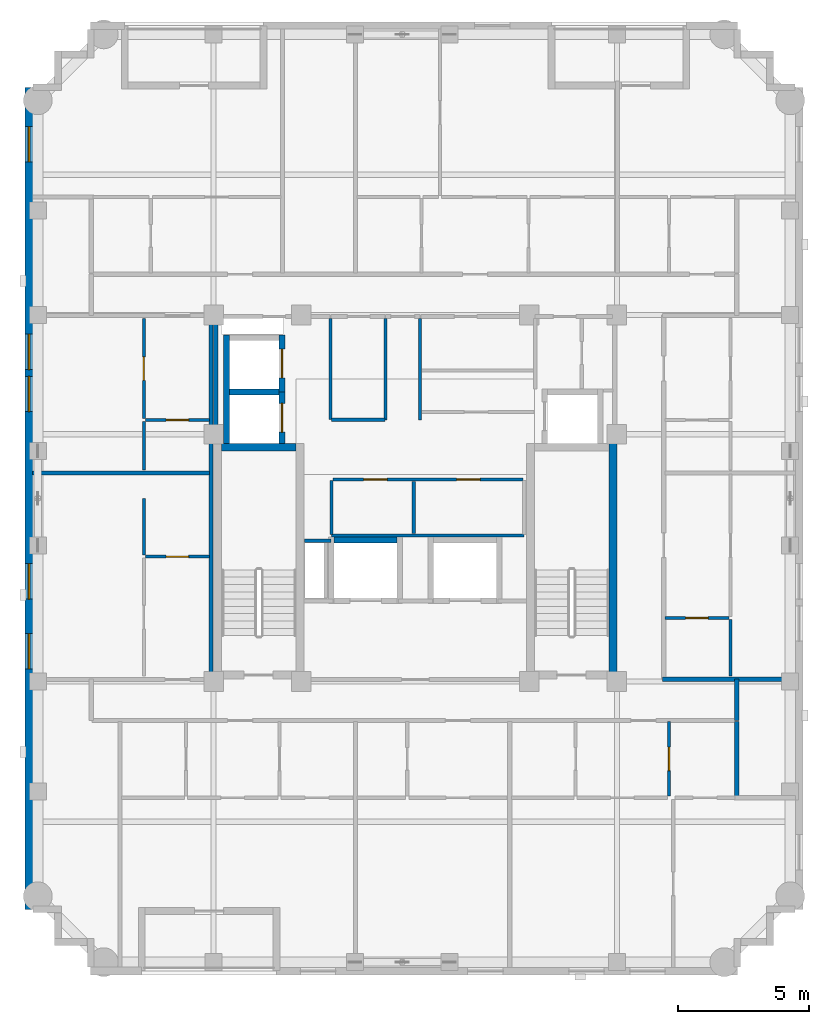
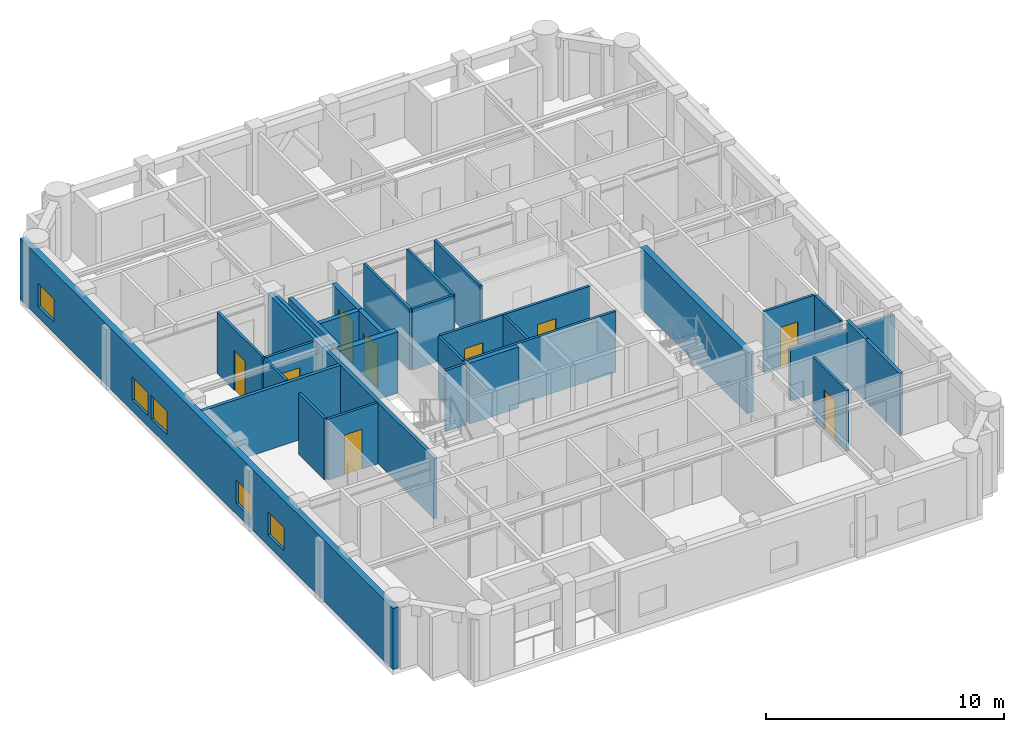
# One storey, part 4 of 10: 31 walls, 9 doors, 5 windows, 14 openings.
"""IFC4 building model written with IfcOpenShell, lengths in metres."""

import ifcopenshell
import ifcopenshell.guid

model = None  # the IFC model being written
_history = None  # IfcOwnerHistory: only IFC2X3 demands one
_inside = {}  # id of a spatial element -> (the spatial element, [elements in it])
_under = {}  # id of a project, library or spatial element -> (it, [spatial elements below it])
_declared = {}  # id of a project -> (the project, [libraries it declares])
_typed = {}  # id of a type object -> (the type object, [elements of that type])
_made_of = {}  # id of a material, layer set ... -> (it, [elements and type objects made of it])


def new_model(schema):
    """Start an empty IFC model of exactly this schema.

    Asked for "IFC4X3", IfcOpenShell would pick the latest addendum, in which some entities
    have other attributes; the version numbers below select the first issue.
    IFC2X3 requires an IfcOwnerHistory on every rooted entity: one is made here for all.
    """
    global model, _history
    if schema == "IFC4X3":
        model = ifcopenshell.file(schema_version=(4, 3, 0, 0))
    else:
        model = ifcopenshell.file(schema=schema)
    _inside.clear()
    _under.clear()
    _declared.clear()
    _typed.clear()
    _made_of.clear()
    _history = None
    if model.schema == "IFC2X3":
        org = make("IfcOrganization", Name="unknown")
        user = make(
            "IfcPersonAndOrganization",
            ThePerson=make("IfcPerson", FamilyName="unknown"),
            TheOrganization=org,
        )
        app = make(
            "IfcApplication",
            ApplicationDeveloper=org,
            Version="unknown",
            ApplicationFullName="unknown",
            ApplicationIdentifier="unknown",
        )
        _history = make(
            "IfcOwnerHistory",
            OwningUser=user,
            OwningApplication=app,
            ChangeAction="ADDED",
            CreationDate=0,
        )
    return model


def make(cls, **values):
    """One entity of the class cls with the attributes given. An attribute that is None is left unset."""
    return model.create_entity(
        cls, **{name: value for name, value in values.items() if value is not None}
    )


def rooted(cls, **values):
    """An entity with a GlobalId (a new one), such as an element, a storey or a relation."""
    return make(cls, GlobalId=ifcopenshell.guid.new(), OwnerHistory=_history, **values)


def si_unit(unit_type, name, prefix=None):
    """IfcSIUnit, for example si_unit("LENGTHUNIT", "METRE", prefix="MILLI")."""
    return make("IfcSIUnit", UnitType=unit_type, Prefix=prefix, Name=name)


def derived_unit(unit_type, elements):
    """IfcDerivedUnit: a product of units, each with its exponent."""
    return make(
        "IfcDerivedUnit",
        Elements=[
            make("IfcDerivedUnitElement", Unit=unit, Exponent=power)
            for unit, power in elements
        ],
        UnitType=unit_type,
    )


def assignment(units):
    """IfcUnitAssignment: the units of a project."""
    return None if units is None else make("IfcUnitAssignment", Units=units)


def point(xyz):
    """IfcCartesianPoint."""
    return None if xyz is None else make("IfcCartesianPoint", Coordinates=xyz)


def direction(xyz):
    """IfcDirection."""
    return None if xyz is None else make("IfcDirection", DirectionRatios=xyz)


def frame(location, z_axis=None, x_axis=None):
    """IfcAxis2Placement3D, a coordinate frame: its origin and axes. An axis left out is left unset."""
    return make(
        "IfcAxis2Placement3D",
        Location=point(location),
        Axis=direction(z_axis),
        RefDirection=direction(x_axis),
    )


def frame_2d(location, x_axis=None):
    """IfcAxis2Placement2D, a coordinate frame in the plane: its origin and x axis."""
    return make(
        "IfcAxis2Placement2D", Location=point(location), RefDirection=direction(x_axis)
    )


def origin():
    """The frame at (0, 0, 0) with its axes left unset."""
    return frame((0.0, 0.0, 0.0))


def place(relative_to, where):
    """IfcLocalPlacement: puts the frame where relative to a parent placement (None: the world)."""
    return make(
        "IfcLocalPlacement", PlacementRelTo=relative_to, RelativePlacement=where
    )


def context(
    kind, dimensions, precision=None, world=None, true_north=None, identifier=None
):
    """IfcGeometricRepresentationContext, for example the 3D "Model" context."""
    return make(
        "IfcGeometricRepresentationContext",
        ContextIdentifier=identifier,
        ContextType=kind,
        CoordinateSpaceDimension=dimensions,
        Precision=precision,
        WorldCoordinateSystem=world,
        TrueNorth=true_north,
    )


def subcontext(parent, identifier, kind, view, scale=None):
    """IfcGeometricRepresentationSubContext, for example "Body" below "Model"."""
    return make(
        "IfcGeometricRepresentationSubContext",
        ContextIdentifier=identifier,
        ContextType=kind,
        ParentContext=parent,
        TargetScale=scale,
        TargetView=view,
    )


def project(units=None, contexts=None):
    """IfcProject with its units and contexts."""
    return rooted(
        "IfcProject",
        Name="project",
        RepresentationContexts=contexts,
        UnitsInContext=assignment(units),
    )


def spatial(cls, under=None, at=None, **own):
    """A site, building, storey or space (cls), placed at a placement, below another one or the project."""
    s = rooted(cls, ObjectPlacement=at, **own)
    if under is not None:
        _under.setdefault(under.id(), (under, []))[1].append(s)
    return s


def profile(cls, at=None, kind="AREA", **sizes):
    """A parametric profile (cls). Its sizes go by their IFC names, for example OverallWidth=200.0."""
    return make(cls, ProfileType=kind, Position=at, **sizes)


def rectangle(**sizes):
    """IfcRectangleProfileDef."""
    return profile("IfcRectangleProfileDef", **sizes)


def extrude(swept, where, along, depth):
    """IfcExtrudedAreaSolid: the profile swept, set in the frame where, extruded along a direction by depth."""
    return make(
        "IfcExtrudedAreaSolid",
        SweptArea=swept,
        Position=where,
        ExtrudedDirection=direction(along),
        Depth=depth,
    )


def shape(context_of_items, identifier, shape_type, items):
    """IfcShapeRepresentation: the items that make up one representation, for example the "Body"."""
    return make(
        "IfcShapeRepresentation",
        ContextOfItems=context_of_items,
        RepresentationIdentifier=identifier,
        RepresentationType=shape_type,
        Items=items,
    )


def material(Name=None, Category=None):
    """IfcMaterial."""
    return make("IfcMaterial", Name=Name, Category=Category)


def layer(
    of_material, thickness, ventilated=None, Name=None, Category=None, Priority=None
):
    """IfcMaterialLayer: one layer of a wall or slab, of a material (None: an air gap)."""
    return make(
        "IfcMaterialLayer",
        Material=of_material,
        LayerThickness=thickness,
        IsVentilated=ventilated,
        Name=Name,
        Category=Category,
        Priority=Priority,
    )


def layer_set(layers, Name=None):
    """IfcMaterialLayerSet."""
    return make("IfcMaterialLayerSet", MaterialLayers=layers, LayerSetName=Name)


def made_of(thing, what):
    """Note that an element or type object is made of a material, layer set ...; save() writes the relation."""
    if what is not None:
        _made_of.setdefault(what.id(), (what, []))[1].append(thing)
    return thing


def type_object(cls, material=None, **own):
    """A type object (cls), such as IfcWallType, which elements share."""
    return made_of(rooted(cls, **own), material)


def element(
    cls,
    number,
    at=None,
    inside=None,
    cuts=None,
    type_object=None,
    material=None,
    context=None,
    identifier="Body",
    shape_type=None,
    held_by="IfcProductDefinitionShape",
    body=None,
    shapes=None,
    **own,
):
    """One element of the class cls, such as IfcWall. Its Tag is "e" and its number.

    at: its placement. inside: the storey or other place that contains it. cuts: it is an
    opening in that element (IfcRelVoidsElement). A single representation is given by context,
    identifier, shape_type and body (its items); several are given by shapes. held_by: the class
    of the entity that holds the representations. save() writes the other relations.
    """
    e = rooted(cls, Tag="e%d" % number, ObjectPlacement=at, **own)
    if body is not None:
        shapes = [shape(context, identifier, shape_type, body)]
    if shapes is not None:
        e.Representation = make(held_by, Representations=shapes)
    if inside is not None:
        _inside.setdefault(inside.id(), (inside, []))[1].append(e)
    if cuts is not None:
        rooted(
            "IfcRelVoidsElement", RelatingBuildingElement=cuts, RelatedOpeningElement=e
        )
    if type_object is not None:
        _typed.setdefault(type_object.id(), (type_object, []))[1].append(e)
    return made_of(e, material)


def fill(opening, filler):
    """IfcRelFillsElement: the door or window that sits in an opening."""
    return rooted(
        "IfcRelFillsElement",
        RelatingOpeningElement=opening,
        RelatedBuildingElement=filler,
    )


def aggregate(whole, parts):
    """IfcRelAggregates: a whole, such as a stair, and the parts it consists of."""
    return rooted("IfcRelAggregates", RelatingObject=whole, RelatedObjects=parts)


def save(model, path):
    """Write the relations noted so far, then the file.

    IfcRelAggregates (storeys below a building ...), IfcRelContainedInSpatialStructure (elements
    in a storey), IfcRelDefinesByType, IfcRelAssociatesMaterial and IfcRelDeclares: one each for
    every whole, place, type object, material and project.
    """
    for whole, parts in _under.values():
        aggregate(whole, parts)
    for where, things in _inside.values():
        rooted(
            "IfcRelContainedInSpatialStructure",
            RelatedElements=things,
            RelatingStructure=where,
        )
    for kind, things in _typed.values():
        rooted("IfcRelDefinesByType", RelatedObjects=things, RelatingType=kind)
    for what, things in _made_of.values():
        rooted("IfcRelAssociatesMaterial", RelatedObjects=things, RelatingMaterial=what)
    for by, libraries in _declared.values():
        rooted("IfcRelDeclares", RelatingContext=by, RelatedDefinitions=libraries)
    model.write(path)


model = new_model("IFC4")

# Units and contexts
model_context = context("Model", 3, precision=1e-05, world=origin(), true_north=direction((0.0, 1.0)))
body_context = subcontext(model_context, "Body", "Model", "MODEL_VIEW")
ifc_project = project(units=[si_unit("LENGTHUNIT", "METRE"), si_unit("AREAUNIT", "SQUARE_METRE"), si_unit("VOLUMEUNIT", "CUBIC_METRE"), si_unit("PLANEANGLEUNIT", "RADIAN"), si_unit("MASSUNIT", "GRAM", prefix="KILO"), derived_unit("THERMALTRANSMITTANCEUNIT", [(si_unit("MASSUNIT", "GRAM", prefix="KILO"), 1), (si_unit("TIMEUNIT", "SECOND"), -3), (si_unit("THERMODYNAMICTEMPERATUREUNIT", "KELVIN"), -1)])], contexts=[model_context])

# Site, building, storey
site_placement = place(None, origin())
site = spatial("IfcSite", under=ifc_project, at=site_placement, CompositionType="ELEMENT")
building_placement = place(site_placement, origin())
building = spatial("IfcBuilding", under=site, at=building_placement, Name="Korrvale Station Residences", CompositionType="ELEMENT")
storey_placement = place(building_placement, frame((0.0, 0.0, 234.300048828125)))
storey = spatial("IfcBuildingStorey", under=building, at=storey_placement, Name="L68", CompositionType="ELEMENT", Elevation=234.300048828125)

# Walls
ifc_material_1 = material(Name="Concrete C50/60", Category="concrete")
ifc_layer_1 = layer(ifc_material_1, 0.300048828125, Name="Concrete C50/60")
ifc_layer_set_1 = layer_set([ifc_layer_1], Name="Concrete C50/60")
wall_type_1 = type_object("IfcWallType", Name="WAL-CORE-300-C50", PredefinedType="SHEAR", material=ifc_layer_set_1)
wall_1_placement = place(storey_placement, frame((18.10009765625, 23.949951171875, 0.0), z_axis=(0.0, 0.0, 1.0), x_axis=(1.0, 0.0, 0.0)))
element("IfcWall", 1, at=wall_1_placement, inside=storey, type_object=wall_type_1, Name="L68 ST-1 Core Shear Wall North", PredefinedType="SHEAR", context=body_context, shape_type="SweptSolid", body=[
    extrude(rectangle(XDim=2.849853515625, YDim=0.300048828125, at=frame_2d((1.4248046875, 0.0))), origin(), (0.0, 0.0, 1.0), 3.139892578125),
])
wall_2_placement = place(storey_placement, frame((33.050048828125, 15.10009765625, 0.0), z_axis=(0.0, 0.0, 1.0), x_axis=(0.0, 1.0, 0.0)))
element("IfcWall", 2, at=wall_2_placement, inside=storey, type_object=wall_type_1, Name="L68 ST-2 Core Shear Wall East", PredefinedType="SHEAR", context=body_context, shape_type="SweptSolid", body=[
    extrude(rectangle(XDim=9.0, YDim=0.300048828125, at=frame_2d((4.5, 0.0))), origin(), (0.0, 0.0, 1.0), 3.139892578125),
])

# Wall, openings, windows
ifc_material_2 = material(Name="Precast concrete C45/55", Category="concrete")
ifc_layer_2 = layer(ifc_material_2, 0.300048828125, Name="Precast concrete C45/55")
ifc_layer_set_2 = layer_set([ifc_layer_2], Name="Precast concrete C45/55")
wall_type_2 = type_object("IfcWallType", Name="WAL-EXT-PC300", PredefinedType="SOLIDWALL", material=ifc_layer_set_2)
wall_3_placement = place(storey_placement, frame((10.75, 6.300048828125, 0.0), z_axis=(0.0, 0.0, 1.0), x_axis=(0.0, 1.0, 0.0)))
wall_3 = element("IfcWall", 3, at=wall_3_placement, inside=storey, type_object=wall_type_2, Name="L68 West Exterior Precast Wall 1", PredefinedType="SOLIDWALL", context=body_context, shape_type="SweptSolid", body=[
    extrude(rectangle(XDim=31.39990234375, YDim=0.300048828125, at=frame_2d((15.699951171875, 0.0))), origin(), (0.0, 0.0, 1.0), 3.139892578125),
])
opening_1_placement = place(wall_3_placement, frame((28.5458984375, 0.0, 0.550048828125)))
opening_1 = element("IfcOpeningElement", 4, at=opening_1_placement, cuts=wall_3, Name="Opening W-10", PredefinedType="OPENING", context=body_context, shape_type="SweptSolid", body=[
    extrude(rectangle(XDim=1.35009765625, YDim=1.199951171875, at=frame_2d((0.675048828125, 0.60009765625))), frame((0.0, 0.16015625, 0.0), z_axis=(0.0, -1.0, 0.0), x_axis=(1.0, 0.0, 0.0)), (0.0, 0.0, 1.0), 0.320068359375),
])
opening_2_placement = place(wall_3_placement, frame((11.85009765625, 0.0, 0.550048828125)))
opening_2 = element("IfcOpeningElement", 5, at=opening_2_placement, cuts=wall_3, Name="Opening W-10", PredefinedType="OPENING", context=body_context, shape_type="SweptSolid", body=[
    extrude(rectangle(XDim=1.35009765625, YDim=1.199951171875, at=frame_2d((0.675048828125, 0.60009765625))), frame((0.0, 0.16015625, 0.0), z_axis=(0.0, -1.0, 0.0), x_axis=(1.0, 0.0, 0.0)), (0.0, 0.0, 1.0), 0.320068359375),
])
opening_3_placement = place(wall_3_placement, frame((9.18505859375, 0.0, 0.550048828125)))
opening_3 = element("IfcOpeningElement", 6, at=opening_3_placement, cuts=wall_3, Name="Opening W-10", PredefinedType="OPENING", context=body_context, shape_type="SweptSolid", body=[
    extrude(rectangle(XDim=1.35009765625, YDim=1.199951171875, at=frame_2d((0.675048828125, 0.60009765625))), frame((0.0, 0.16015625, 0.0), z_axis=(0.0, -1.0, 0.0), x_axis=(1.0, 0.0, 0.0)), (0.0, 0.0, 1.0), 0.320068359375),
])
opening_4_placement = place(wall_3_placement, frame((19.006103515625, 0.0, 0.550048828125)))
opening_4 = element("IfcOpeningElement", 7, at=opening_4_placement, cuts=wall_3, Name="Opening W-10", PredefinedType="OPENING", context=body_context, shape_type="SweptSolid", body=[
    extrude(rectangle(XDim=1.35009765625, YDim=1.199951171875, at=frame_2d((0.675048828125, 0.60009765625))), frame((0.0, 0.16015625, 0.0), z_axis=(0.0, -1.0, 0.0), x_axis=(1.0, 0.0, 0.0)), (0.0, 0.0, 1.0), 0.320068359375),
])
opening_5_placement = place(wall_3_placement, frame((20.615966796875, 0.0, 0.550048828125)))
opening_5 = element("IfcOpeningElement", 8, at=opening_5_placement, cuts=wall_3, Name="Opening W-10", PredefinedType="OPENING", context=body_context, shape_type="SweptSolid", body=[
    extrude(rectangle(XDim=1.35009765625, YDim=1.199951171875, at=frame_2d((0.675048828125, 0.60009765625))), frame((0.0, 0.16015625, 0.0), z_axis=(0.0, -1.0, 0.0), x_axis=(1.0, 0.0, 0.0)), (0.0, 0.0, 1.0), 0.320068359375),
])
ifc_material_3 = material(Name="Thermally broken aluminium frame with triple low-e glazing", Category="aluminium")
window_type = type_object("IfcWindowType", Name="WIN-W10", PartitioningType="SINGLE_PANEL", PredefinedType="WINDOW", material=ifc_material_3)
window_1_placement = place(opening_1_placement, origin())
window_1 = element("IfcWindow", 9, at=window_1_placement, inside=storey, type_object=window_type, Name="L68 Punched Window 06", OverallHeight=1.199951171875, OverallWidth=1.35009765625, PartitioningType="SINGLE_PANEL", PredefinedType="WINDOW", context=body_context, shape_type="SweptSolid", body=[
    extrude(rectangle(XDim=1.35009765625, YDim=1.199951171875, at=frame_2d((0.675048828125, 0.60009765625))), frame((0.0, 0.030029296875, 0.0), z_axis=(0.0, -1.0, 0.0), x_axis=(1.0, 0.0, 0.0)), (0.0, 0.0, 1.0), 0.06005859375),
])
fill(opening_1, window_1)
window_2_placement = place(opening_2_placement, origin())
window_2 = element("IfcWindow", 10, at=window_2_placement, inside=storey, type_object=window_type, Name="L68 Punched Window 09", OverallHeight=1.199951171875, OverallWidth=1.35009765625, PartitioningType="SINGLE_PANEL", PredefinedType="WINDOW", context=body_context, shape_type="SweptSolid", body=[
    extrude(rectangle(XDim=1.35009765625, YDim=1.199951171875, at=frame_2d((0.675048828125, 0.60009765625))), frame((0.0, 0.030029296875, 0.0), z_axis=(0.0, -1.0, 0.0), x_axis=(1.0, 0.0, 0.0)), (0.0, 0.0, 1.0), 0.06005859375),
])
fill(opening_2, window_2)
window_3_placement = place(opening_3_placement, origin())
window_3 = element("IfcWindow", 11, at=window_3_placement, inside=storey, type_object=window_type, Name="L68 Punched Window 10", OverallHeight=1.199951171875, OverallWidth=1.35009765625, PartitioningType="SINGLE_PANEL", PredefinedType="WINDOW", context=body_context, shape_type="SweptSolid", body=[
    extrude(rectangle(XDim=1.35009765625, YDim=1.199951171875, at=frame_2d((0.675048828125, 0.60009765625))), frame((0.0, 0.030029296875, 0.0), z_axis=(0.0, -1.0, 0.0), x_axis=(1.0, 0.0, 0.0)), (0.0, 0.0, 1.0), 0.06005859375),
])
fill(opening_3, window_3)
window_4_placement = place(opening_4_placement, origin())
window_4 = element("IfcWindow", 12, at=window_4_placement, inside=storey, type_object=window_type, Name="L68 Punched Window 11", OverallHeight=1.199951171875, OverallWidth=1.35009765625, PartitioningType="SINGLE_PANEL", PredefinedType="WINDOW", context=body_context, shape_type="SweptSolid", body=[
    extrude(rectangle(XDim=1.35009765625, YDim=1.199951171875, at=frame_2d((0.675048828125, 0.60009765625))), frame((0.0, 0.030029296875, 0.0), z_axis=(0.0, -1.0, 0.0), x_axis=(1.0, 0.0, 0.0)), (0.0, 0.0, 1.0), 0.06005859375),
])
fill(opening_4, window_4)
window_5_placement = place(opening_5_placement, origin())
window_5 = element("IfcWindow", 13, at=window_5_placement, inside=storey, type_object=window_type, Name="L68 Punched Window 12", OverallHeight=1.199951171875, OverallWidth=1.35009765625, PartitioningType="SINGLE_PANEL", PredefinedType="WINDOW", context=body_context, shape_type="SweptSolid", body=[
    extrude(rectangle(XDim=1.35009765625, YDim=1.199951171875, at=frame_2d((0.675048828125, 0.60009765625))), frame((0.0, 0.030029296875, 0.0), z_axis=(0.0, -1.0, 0.0), x_axis=(1.0, 0.0, 0.0)), (0.0, 0.0, 1.0), 0.06005859375),
])
fill(opening_5, window_5)

# Walls
ifc_material_4 = material(Name="Acoustic steel-stud gypsum board partition", Category="steel")
ifc_layer_3 = layer(ifc_material_4, 0.1201171875, Name="Acoustic steel-stud gypsum board partition")
ifc_layer_set_3 = layer_set([ifc_layer_3], Name="Acoustic steel-stud gypsum board partition")
wall_type_3 = type_object("IfcWallType", Name="WAL-PART-125", PredefinedType="PARTITIONING", material=ifc_layer_set_3)
wall_4_placement = place(storey_placement, frame((22.280029296875, 20.3798828125, 0.0), z_axis=(0.0, 0.0, 1.0), x_axis=(-1.0, 0.0, 0.0)))
element("IfcWall", 14, at=wall_4_placement, inside=storey, type_object=wall_type_3, Name="L68 Core Partition CW-RSWT-N", PredefinedType="PARTITIONING", context=body_context, shape_type="SweptSolid", body=[
    extrude(rectangle(XDim=1.02001953125, YDim=0.1201171875, at=frame_2d((0.510009765625, 0.0))), origin(), (0.0, 0.0, 1.0), 3.139892578125),
])
for number, where, z_axis, x_axis, name in (
    (15, (24.360107421875, 25.0, 0.0), (0.0, 0.0, 1.0), (0.0, 1.0, 0.0), "L68 Core Partition CW-PSG-W"),
    (16, (25.679931640625, 25.0, 0.0), (0.0, 0.0, 1.0), (0.0, 1.0, 0.0), "L68 Core Partition CW-PSG-E"),
):
    element("IfcWall", number, at=place(storey_placement, frame(where, z_axis=z_axis, x_axis=x_axis)), inside=storey, type_object=wall_type_3, Name=name, PredefinedType="PARTITIONING", context=body_context, shape_type="SweptSolid", body=[
        extrude(rectangle(XDim=3.8701171875, YDim=0.1201171875, at=frame_2d((1.93505859375, 0.0))), origin(), (0.0, 0.0, 1.0), 3.139892578125),
    ])
wall_5_placement = place(storey_placement, frame((22.260009765625, 25.0, 0.0), z_axis=(0.0, 0.0, 1.0), x_axis=(0.0, 1.0, 0.0)))
element("IfcWall", 17, at=wall_5_placement, inside=storey, type_object=wall_type_3, Name="L68 Core Partition CW-FPLW-W", PredefinedType="PARTITIONING", context=body_context, shape_type="SweptSolid", body=[
    extrude(rectangle(XDim=3.860107421875, YDim=0.1201171875, at=frame_2d((1.93017578125, 0.0))), origin(), (0.0, 0.0, 1.0), 3.139892578125),
])
wall_6_placement = place(storey_placement, frame((22.300048828125, 25.0, 0.0), z_axis=(0.0, 0.0, 1.0), x_axis=(1.0, 0.0, 0.0)))
element("IfcWall", 18, at=wall_6_placement, inside=storey, type_object=wall_type_3, Name="L68 Core Partition CW-FPLW-S", PredefinedType="PARTITIONING", context=body_context, shape_type="SweptSolid", body=[
    extrude(rectangle(XDim=2.0400390625, YDim=0.1201171875, at=frame_2d((1.02001953125, 0.0))), origin(), (0.0, 0.0, 1.0), 3.139892578125),
])
wall_7_placement = place(storey_placement, frame((22.300048828125, 20.580078125, 0.0), z_axis=(0.0, 0.0, 1.0), x_axis=(1.0, 0.0, 0.0)))
element("IfcWall", 19, at=wall_7_placement, inside=storey, type_object=wall_type_3, Name="L68 Core Partition CW-FPM-S", PredefinedType="PARTITIONING", context=body_context, shape_type="SweptSolid", body=[
    extrude(rectangle(XDim=7.349853515625, YDim=0.1201171875, at=frame_2d((3.6748046875, 0.0))), origin(), (0.0, 0.0, 1.0), 3.139892578125),
])
wall_8_placement = place(storey_placement, frame((22.300048828125, 20.6201171875, 0.0), z_axis=(0.0, 0.0, 1.0), x_axis=(0.0, 1.0, 0.0)))
element("IfcWall", 20, at=wall_8_placement, inside=storey, type_object=wall_type_3, Name="L68 Core Partition CW-FPM-W", PredefinedType="PARTITIONING", context=body_context, shape_type="SweptSolid", body=[
    extrude(rectangle(XDim=2.059814453125, YDim=0.1201171875, at=frame_2d((1.02978515625, 0.0))), origin(), (0.0, 0.0, 1.0), 3.139892578125),
])
wall_9_placement = place(storey_placement, frame((25.43994140625, 20.64990234375, 0.0), z_axis=(0.0, 0.0, 1.0), x_axis=(0.0, 1.0, 0.0)))
element("IfcWall", 21, at=wall_9_placement, inside=storey, type_object=wall_type_3, Name="L68 Core Partition CW-FPM-M", PredefinedType="PARTITIONING", context=body_context, shape_type="SweptSolid", body=[
    extrude(rectangle(XDim=2.0, YDim=0.1201171875, at=frame_2d((1.0, 0.0))), origin(), (0.0, 0.0, 1.0), 3.139892578125),
])

# Wall, openings, doors
wall_10_placement = place(storey_placement, frame((22.35009765625, 22.719970703125, 0.0), z_axis=(0.0, 0.0, 1.0), x_axis=(1.0, 0.0, 0.0)))
wall_10 = element("IfcWall", 22, at=wall_10_placement, inside=storey, type_object=wall_type_3, Name="L68 Core Partition CW-FPM-N", PredefinedType="PARTITIONING", context=body_context, shape_type="SweptSolid", body=[
    extrude(rectangle(XDim=7.27001953125, YDim=0.1201171875, at=frame_2d((3.635009765625, 0.0))), origin(), (0.0, 0.0, 1.0), 3.139892578125),
])
opening_6_placement = place(wall_10_placement, frame((1.175048828125, 0.0, 0.0)))
opening_6 = element("IfcOpeningElement", 23, at=opening_6_placement, cuts=wall_10, Name="Opening DI-900", PredefinedType="OPENING", context=body_context, shape_type="SweptSolid", body=[
    extrude(rectangle(XDim=0.89990234375, YDim=2.050048828125, at=frame_2d((0.449951171875, 1.02490234375))), frame((0.0, 0.070068359375, 0.0), z_axis=(0.0, -1.0, 0.0), x_axis=(1.0, 0.0, 0.0)), (0.0, 0.0, 1.0), 0.14013671875),
])
opening_7_placement = place(wall_10_placement, frame((4.72509765625, 0.0, 0.0)))
opening_7 = element("IfcOpeningElement", 24, at=opening_7_placement, cuts=wall_10, Name="Opening DI-900", PredefinedType="OPENING", context=body_context, shape_type="SweptSolid", body=[
    extrude(rectangle(XDim=0.89990234375, YDim=2.050048828125, at=frame_2d((0.449951171875, 1.02490234375))), frame((0.0, 0.070068359375, 0.0), z_axis=(0.0, -1.0, 0.0), x_axis=(1.0, 0.0, 0.0)), (0.0, 0.0, 1.0), 0.14013671875),
])
ifc_material_5 = material(Name="Painted solid-core timber interior room door", Category="wood")
door_type_1 = type_object("IfcDoorType", Name="DR-INT-900", OperationType="NOTDEFINED", PredefinedType="DOOR", material=ifc_material_5)
door_1_placement = place(opening_6_placement, origin())
door_1 = element("IfcDoor", 25, at=door_1_placement, inside=storey, type_object=door_type_1, Name="L68 Sky Pantry Door", OperationType="SINGLE_SWING_LEFT", OverallHeight=2.050048828125, OverallWidth=0.89990234375, PredefinedType="DOOR", context=body_context, shape_type="SweptSolid", body=[
    extrude(rectangle(XDim=0.89990234375, YDim=2.050048828125, at=frame_2d((0.449951171875, 1.02490234375))), frame((0.0, 0.02490234375, 0.0), z_axis=(0.0, -1.0, 0.0), x_axis=(1.0, 0.0, 0.0)), (0.0, 0.0, 1.0), 0.050048828125),
])
fill(opening_6, door_1)
door_2_placement = place(opening_7_placement, origin())
door_2 = element("IfcDoor", 26, at=door_2_placement, inside=storey, type_object=door_type_1, Name="L68 Concierge Supply Door", OperationType="SINGLE_SWING_RIGHT", OverallHeight=2.050048828125, OverallWidth=0.89990234375, PredefinedType="DOOR", context=body_context, shape_type="SweptSolid", body=[
    extrude(rectangle(XDim=0.89990234375, YDim=2.050048828125, at=frame_2d((0.449951171875, 1.02490234375))), frame((0.0, 0.02490234375, 0.0), z_axis=(0.0, -1.0, 0.0), x_axis=(1.0, 0.0, 0.0)), (0.0, 0.0, 1.0), 0.050048828125),
])
fill(opening_7, door_2)

# Wall, opening, door
wall_11_placement = place(storey_placement, frame((35.195068359375, 10.6201171875, 0.0), z_axis=(0.0, 0.0, 1.0), x_axis=(0.0, 1.0, 0.0)))
wall_11 = element("IfcWall", 27, at=wall_11_placement, inside=storey, type_object=wall_type_3, Name="L68 Suite Partition U03-V12", PredefinedType="PARTITIONING", context=body_context, shape_type="SweptSolid", body=[
    extrude(rectangle(XDim=2.849853515625, YDim=0.1201171875, at=frame_2d((1.4248046875, 0.0))), origin(), (0.0, 0.0, 1.0), 3.139892578125),
])
opening_8_placement = place(wall_11_placement, frame((0.97509765625, 0.0, 0.0)))
opening_8 = element("IfcOpeningElement", 28, at=opening_8_placement, cuts=wall_11, Name="Opening DI-900", PredefinedType="OPENING", context=body_context, shape_type="SweptSolid", body=[
    extrude(rectangle(XDim=0.89990234375, YDim=2.050048828125, at=frame_2d((0.449951171875, 1.02490234375))), frame((0.0, 0.070068359375, 0.0), z_axis=(0.0, -1.0, 0.0), x_axis=(1.0, 0.0, 0.0)), (0.0, 0.0, 1.0), 0.14013671875),
])
door_3_placement = place(opening_8_placement, origin())
door_3 = element("IfcDoor", 29, at=door_3_placement, inside=storey, type_object=door_type_1, Name="L68 Apartment 1BR L68-U03 Kitchen Door", OperationType="SINGLE_SWING_RIGHT", OverallHeight=2.050048828125, OverallWidth=0.89990234375, PredefinedType="DOOR", context=body_context, shape_type="SweptSolid", body=[
    extrude(rectangle(XDim=0.89990234375, YDim=2.050048828125, at=frame_2d((0.449951171875, 1.02490234375))), frame((0.0, 0.02490234375, 0.0), z_axis=(0.0, -1.0, 0.0), x_axis=(1.0, 0.0, 0.0)), (0.0, 0.0, 1.0), 0.050048828125),
])
fill(opening_8, door_3)

wall_12_placement = place(storey_placement, frame((15.18994140625, 19.77001953125, 0.0), z_axis=(0.0, 0.0, 1.0), x_axis=(1.0, 0.0, 0.0)))
wall_12 = element("IfcWall", 30, at=wall_12_placement, inside=storey, type_object=wall_type_3, Name="L68 Suite Partition U07-H01", PredefinedType="PARTITIONING", context=body_context, shape_type="SweptSolid", body=[
    extrude(rectangle(XDim=2.449951171875, YDim=0.1201171875, at=frame_2d((1.22509765625, 0.0))), origin(), (0.0, 0.0, 1.0), 3.139892578125),
])
opening_9_placement = place(wall_12_placement, frame((0.794921875, 0.0, 0.0)))
opening_9 = element("IfcOpeningElement", 31, at=opening_9_placement, cuts=wall_12, Name="Opening DB-860", PredefinedType="OPENING", context=body_context, shape_type="SweptSolid", body=[
    extrude(rectangle(XDim=0.860107421875, YDim=2.050048828125, at=frame_2d((0.43017578125, 1.02490234375))), frame((0.0, 0.070068359375, 0.0), z_axis=(0.0, -1.0, 0.0), x_axis=(1.0, 0.0, 0.0)), (0.0, 0.0, 1.0), 0.14013671875),
])
ifc_material_6 = material(Name="Moisture-resistant solid-core bathroom door", Category="timber")
door_type_2 = type_object("IfcDoorType", Name="DR-BATH-860", OperationType="NOTDEFINED", PredefinedType="DOOR", material=ifc_material_6)
door_4_placement = place(opening_9_placement, origin())
door_4 = element("IfcDoor", 32, at=door_4_placement, inside=storey, type_object=door_type_2, Name="L68 Apartment 1BR L68-U07 Bathroom Door", OperationType="SINGLE_SWING_RIGHT", OverallHeight=2.050048828125, OverallWidth=0.860107421875, PredefinedType="DOOR", context=body_context, shape_type="SweptSolid", body=[
    extrude(rectangle(XDim=0.860107421875, YDim=2.050048828125, at=frame_2d((0.43017578125, 1.02490234375))), frame((0.0, 0.02490234375, 0.0), z_axis=(0.0, -1.0, 0.0), x_axis=(1.0, 0.0, 0.0)), (0.0, 0.0, 1.0), 0.050048828125),
])
fill(opening_9, door_4)

# Wall
wall_13_placement = place(storey_placement, frame((15.1298828125, 19.830078125, 0.0), z_axis=(0.0, 0.0, 1.0), x_axis=(0.0, 1.0, 0.0)))
element("IfcWall", 33, at=wall_13_placement, inside=storey, type_object=wall_type_3, Name="L68 Suite Partition U07-V02", PredefinedType="PARTITIONING", context=body_context, shape_type="SweptSolid", body=[
    extrude(rectangle(XDim=2.158935546875, YDim=0.1201171875, at=frame_2d((1.07958984375, 0.0))), origin(), (0.0, 0.0, 1.0), 3.139892578125),
])

# Wall, opening, door
wall_14_placement = place(storey_placement, frame((15.18994140625, 24.991943359375, 0.0), z_axis=(0.0, 0.0, 1.0), x_axis=(1.0, 0.0, 0.0)))
wall_14 = element("IfcWall", 34, at=wall_14_placement, inside=storey, type_object=wall_type_3, Name="L68 Suite Partition U08-H01", PredefinedType="PARTITIONING", context=body_context, shape_type="SweptSolid", body=[
    extrude(rectangle(XDim=2.449951171875, YDim=0.1201171875, at=frame_2d((1.22509765625, 0.0))), origin(), (0.0, 0.0, 1.0), 3.139892578125),
])
opening_10_placement = place(wall_14_placement, frame((0.794921875, 0.0, 0.0)))
opening_10 = element("IfcOpeningElement", 35, at=opening_10_placement, cuts=wall_14, Name="Opening DB-860", PredefinedType="OPENING", context=body_context, shape_type="SweptSolid", body=[
    extrude(rectangle(XDim=0.860107421875, YDim=2.050048828125, at=frame_2d((0.43017578125, 1.02490234375))), frame((0.0, 0.070068359375, 0.0), z_axis=(0.0, -1.0, 0.0), x_axis=(1.0, 0.0, 0.0)), (0.0, 0.0, 1.0), 0.14013671875),
])
door_5_placement = place(opening_10_placement, origin())
door_5 = element("IfcDoor", 36, at=door_5_placement, inside=storey, type_object=door_type_2, Name="L68 Apartment 1BR L68-U08 Bathroom Door", OperationType="SINGLE_SWING_LEFT", OverallHeight=2.050048828125, OverallWidth=0.860107421875, PredefinedType="DOOR", context=body_context, shape_type="SweptSolid", body=[
    extrude(rectangle(XDim=0.860107421875, YDim=2.050048828125, at=frame_2d((0.43017578125, 1.02490234375))), frame((0.0, 0.02490234375, 0.0), z_axis=(0.0, -1.0, 0.0), x_axis=(1.0, 0.0, 0.0)), (0.0, 0.0, 1.0), 0.050048828125),
])
fill(opening_10, door_5)

# Wall
wall_15_placement = place(storey_placement, frame((15.1298828125, 23.08203125, 0.0), z_axis=(0.0, 0.0, 1.0), x_axis=(0.0, 1.0, 0.0)))
element("IfcWall", 37, at=wall_15_placement, inside=storey, type_object=wall_type_3, Name="L68 Suite Partition U08-V02", PredefinedType="PARTITIONING", context=body_context, shape_type="SweptSolid", body=[
    extrude(rectangle(XDim=1.849853515625, YDim=0.1201171875, at=frame_2d((0.9248046875, 0.0))), origin(), (0.0, 0.0, 1.0), 3.139892578125),
])

# Wall, opening, door
wall_16_placement = place(storey_placement, frame((15.1298828125, 25.052001953125, 0.0), z_axis=(0.0, 0.0, 1.0), x_axis=(0.0, 1.0, 0.0)))
wall_16 = element("IfcWall", 38, at=wall_16_placement, inside=storey, type_object=wall_type_3, Name="L68 Suite Partition U08-V12", PredefinedType="PARTITIONING", context=body_context, shape_type="SweptSolid", body=[
    extrude(rectangle(XDim=3.80810546875, YDim=0.1201171875, at=frame_2d((1.904052734375, 0.0))), origin(), (0.0, 0.0, 1.0), 3.139892578125),
])
opening_11_placement = place(wall_16_placement, frame((1.4541015625, 0.0, 0.0)))
opening_11 = element("IfcOpeningElement", 39, at=opening_11_placement, cuts=wall_16, Name="Opening DI-900", PredefinedType="OPENING", context=body_context, shape_type="SweptSolid", body=[
    extrude(rectangle(XDim=0.89990234375, YDim=2.050048828125, at=frame_2d((0.449951171875, 1.02490234375))), frame((0.0, 0.070068359375, 0.0), z_axis=(0.0, -1.0, 0.0), x_axis=(1.0, 0.0, 0.0)), (0.0, 0.0, 1.0), 0.14013671875),
])
door_6_placement = place(opening_11_placement, origin())
door_6 = element("IfcDoor", 40, at=door_6_placement, inside=storey, type_object=door_type_1, Name="L68 Apartment 1BR L68-U08 Kitchen Door", OperationType="SINGLE_SWING_RIGHT", OverallHeight=2.050048828125, OverallWidth=0.89990234375, PredefinedType="DOOR", context=body_context, shape_type="SweptSolid", body=[
    extrude(rectangle(XDim=0.89990234375, YDim=2.050048828125, at=frame_2d((0.449951171875, 1.02490234375))), frame((0.0, 0.02490234375, 0.0), z_axis=(0.0, -1.0, 0.0), x_axis=(1.0, 0.0, 0.0)), (0.0, 0.0, 1.0), 0.050048828125),
])
fill(opening_11, door_6)

wall_17_placement = place(storey_placement, frame((35.030029296875, 17.428955078125, 0.0), z_axis=(0.0, 0.0, 1.0), x_axis=(1.0, 0.0, 0.0)))
wall_17 = element("IfcWall", 41, at=wall_17_placement, inside=storey, type_object=wall_type_3, Name="L68 Suite Partition U09-H01", PredefinedType="PARTITIONING", context=body_context, shape_type="SweptSolid", body=[
    extrude(rectangle(XDim=2.449951171875, YDim=0.1201171875, at=frame_2d((1.22509765625, 0.0))), origin(), (0.0, 0.0, 1.0), 3.139892578125),
])
opening_12_placement = place(wall_17_placement, frame((0.794921875, 0.0, 0.0)))
opening_12 = element("IfcOpeningElement", 42, at=opening_12_placement, cuts=wall_17, Name="Opening DB-860", PredefinedType="OPENING", context=body_context, shape_type="SweptSolid", body=[
    extrude(rectangle(XDim=0.860107421875, YDim=2.050048828125, at=frame_2d((0.43017578125, 1.02490234375))), frame((0.0, 0.070068359375, 0.0), z_axis=(0.0, -1.0, 0.0), x_axis=(1.0, 0.0, 0.0)), (0.0, 0.0, 1.0), 0.14013671875),
])
door_7_placement = place(opening_12_placement, origin())
door_7 = element("IfcDoor", 43, at=door_7_placement, inside=storey, type_object=door_type_2, Name="L68 Apartment 1BR L68-U09 Bathroom Door", OperationType="SINGLE_SWING_LEFT", OverallHeight=2.050048828125, OverallWidth=0.860107421875, PredefinedType="DOOR", context=body_context, shape_type="SweptSolid", body=[
    extrude(rectangle(XDim=0.860107421875, YDim=2.050048828125, at=frame_2d((0.43017578125, 1.02490234375))), frame((0.0, 0.02490234375, 0.0), z_axis=(0.0, -1.0, 0.0), x_axis=(1.0, 0.0, 0.0)), (0.0, 0.0, 1.0), 0.050048828125),
])
fill(opening_12, door_7)

# Walls
wall_18_placement = place(storey_placement, frame((37.5400390625, 15.2099609375, 0.0), z_axis=(0.0, 0.0, 1.0), x_axis=(0.0, 1.0, 0.0)))
element("IfcWall", 44, at=wall_18_placement, inside=storey, type_object=wall_type_3, Name="L68 Suite Partition U09-V02", PredefinedType="PARTITIONING", context=body_context, shape_type="SweptSolid", body=[
    extrude(rectangle(XDim=2.158935546875, YDim=0.1201171875, at=frame_2d((1.07958984375, 0.0))), origin(), (0.0, 0.0, 1.0), 3.139892578125),
])
ifc_material_7 = material(Name="Fire-rated twin-stud gypsum and mineral wool shaftwall assembly", Category="gypsum")
ifc_layer_4 = layer(ifc_material_7, 0.159912109375, Name="Fire-rated twin-stud gypsum and mineral wool shaftwall assembly")
ifc_layer_set_4 = layer_set([ifc_layer_4], Name="Fire-rated twin-stud gypsum and mineral wool shaftwall assembly")
wall_type_4 = type_object("IfcWallType", Name="WAL-PART-200", PredefinedType="PARTITIONING", material=ifc_layer_set_4)
wall_19_placement = place(storey_placement, frame((17.8798828125, 24.1201171875, 0.0), z_axis=(0.0, 0.0, 1.0), x_axis=(0.0, 1.0, 0.0)))
element("IfcWall", 45, at=wall_19_placement, inside=storey, type_object=wall_type_4, Name="L68 Core Partition CW-W-N", PredefinedType="PARTITIONING", context=body_context, shape_type="SweptSolid", body=[
    extrude(rectangle(XDim=4.759765625, YDim=0.159912109375, at=frame_2d((2.3798828125, 0.0))), origin(), (0.0, 0.0, 1.0), 3.139892578125),
])
wall_20_placement = place(storey_placement, frame((37.780029296875, 13.510009765625, 0.0), z_axis=(0.0, 0.0, 1.0), x_axis=(0.0, 1.0, 0.0)))
element("IfcWall", 46, at=wall_20_placement, inside=storey, type_object=wall_type_4, Name="L68 Corridor South East Cap", PredefinedType="PARTITIONING", context=body_context, shape_type="SweptSolid", body=[
    extrude(rectangle(XDim=1.580078125, YDim=0.159912109375, at=frame_2d((0.7900390625, 0.0))), origin(), (0.0, 0.0, 1.0), 3.139892578125),
])
wall_21_placement = place(storey_placement, frame((34.949951171875, 15.090087890625, 0.0), z_axis=(0.0, 0.0, 1.0), x_axis=(1.0, 0.0, 0.0)))
element("IfcWall", 47, at=wall_21_placement, inside=storey, type_object=wall_type_4, Name="L68 East Wing South Corridor Wall", PredefinedType="PARTITIONING", context=body_context, shape_type="SweptSolid", body=[
    extrude(rectangle(XDim=5.070068359375, YDim=0.159912109375, at=frame_2d((2.53515625, 0.0))), origin(), (0.0, 0.0, 1.0), 2.66796875),
])
wall_22_placement = place(storey_placement, frame((37.780029296875, 10.56005859375, 0.0), z_axis=(0.0, 0.0, 1.0), x_axis=(0.0, 1.0, 0.0)))
element("IfcWall", 48, at=wall_22_placement, inside=storey, type_object=wall_type_4, Name="L68 Corner Step Cheek U03-R", PredefinedType="PARTITIONING", context=body_context, shape_type="SweptSolid", body=[
    extrude(rectangle(XDim=2.909912109375, YDim=0.159912109375, at=frame_2d((1.455078125, 0.0))), origin(), (0.0, 0.0, 1.0), 3.139892578125),
])
wall_23_placement = place(storey_placement, frame((10.8798828125, 22.9619140625, 0.0), z_axis=(0.0, 0.0, 1.0), x_axis=(1.0, 0.0, 0.0)))
element("IfcWall", 49, at=wall_23_placement, inside=storey, type_object=wall_type_4, Name="L68 Demising Wall U07-N", PredefinedType="PARTITIONING", context=body_context, shape_type="SweptSolid", body=[
    extrude(rectangle(XDim=6.760009765625, YDim=0.159912109375, at=frame_2d((3.3798828125, 0.0))), origin(), (0.0, 0.0, 1.0), 3.139892578125),
])
wall_24_placement = place(storey_placement, frame((17.699951171875, 15.02001953125, 0.0), z_axis=(0.0, 0.0, 1.0), x_axis=(0.0, 1.0, 0.0)))
element("IfcWall", 50, at=wall_24_placement, inside=storey, type_object=wall_type_4, Name="L68 Rated Corridor Wall W", PredefinedType="PARTITIONING", context=body_context, shape_type="SweptSolid", body=[
    extrude(rectangle(XDim=13.97998046875, YDim=0.159912109375, at=frame_2d((6.989990234375, 0.0))), origin(), (0.0, 0.0, 1.0), 3.139892578125),
])
ifc_layer_5 = layer(ifc_material_1, 0.219970703125, Name="Concrete C50/60")
ifc_layer_set_5 = layer_set([ifc_layer_5], Name="Concrete C50/60")
wall_type_5 = type_object("IfcWallType", Name="WAL-SHAFT-220-C50", PredefinedType="SHEAR", material=ifc_layer_set_5)
wall_25_placement = place(storey_placement, frame((18.2900390625, 24.10009765625, 0.0), z_axis=(0.0, 0.0, 1.0), x_axis=(0.0, 1.0, 0.0)))
element("IfcWall", 51, at=wall_25_placement, inside=storey, type_object=wall_type_5, Name="L68 Elevator PH-1 Hoistway Wall West", PredefinedType="SHEAR", context=body_context, shape_type="SweptSolid", body=[
    extrude(rectangle(XDim=4.139892578125, YDim=0.219970703125, at=frame_2d((2.06982421875, 0.0))), origin(), (0.0, 0.0, 1.0), 3.139892578125),
])

# Wall, opening, door
wall_26_placement = place(storey_placement, frame((20.409912109375, 24.10009765625, 0.0), z_axis=(0.0, 0.0, 1.0), x_axis=(0.0, 1.0, 0.0)))
wall_26 = element("IfcWall", 52, at=wall_26_placement, inside=storey, type_object=wall_type_5, Name="L68 Elevator PH-1 Hoistway Wall East", PredefinedType="SHEAR", context=body_context, shape_type="SweptSolid", body=[
    extrude(rectangle(XDim=1.9599609375, YDim=0.219970703125, at=frame_2d((0.97998046875, 0.0))), origin(), (0.0, 0.0, 1.0), 3.139892578125),
])
opening_13_placement = place(wall_26_placement, frame((0.429931640625, 0.0, 0.0)))
opening_13 = element("IfcOpeningElement", 53, at=opening_13_placement, cuts=wall_26, Name="Opening LD-1100", PredefinedType="OPENING", context=body_context, shape_type="SweptSolid", body=[
    extrude(rectangle(XDim=1.10009765625, YDim=2.14990234375, at=frame_2d((0.550048828125, 1.074951171875))), frame((0.0, 0.1201171875, 0.0), z_axis=(0.0, -1.0, 0.0), x_axis=(1.0, 0.0, 0.0)), (0.0, 0.0, 1.0), 0.239990234375),
])
ifc_material_8 = material(Name="Brushed stainless-steel elevator landing sliding door", Category="steel")
door_type_3 = type_object("IfcDoorType", Name="DR-LIFT-1100", OperationType="SLIDING_TO_LEFT", PredefinedType="DOOR", material=ifc_material_8)
door_8_placement = place(opening_13_placement, origin())
door_8 = element("IfcDoor", 54, at=door_8_placement, inside=storey, type_object=door_type_3, Name="L68 Elevator PH-1 Sliding Landing Door", OperationType="SLIDING_TO_LEFT", OverallHeight=2.14990234375, OverallWidth=1.10009765625, PredefinedType="DOOR", context=body_context, shape_type="SweptSolid", body=[
    extrude(rectangle(XDim=1.10009765625, YDim=2.14990234375, at=frame_2d((0.550048828125, 1.074951171875))), frame((0.0, 0.02490234375, 0.0), z_axis=(0.0, -1.0, 0.0), x_axis=(1.0, 0.0, 0.0)), (0.0, 0.0, 1.0), 0.050048828125),
])
fill(opening_13, door_8)

# Wall
wall_27_placement = place(storey_placement, frame((18.39990234375, 26.06005859375, 0.0), z_axis=(0.0, 0.0, 1.0), x_axis=(1.0, 0.0, 0.0)))
element("IfcWall", 55, at=wall_27_placement, inside=storey, type_object=wall_type_5, Name="L68 Elevator PH-2 Hoistway Wall South", PredefinedType="SHEAR", context=body_context, shape_type="SweptSolid", body=[
    extrude(rectangle(XDim=1.900146484375, YDim=0.219970703125, at=frame_2d((0.9501953125, 0.0))), origin(), (0.0, 0.0, 1.0), 3.139892578125),
])

# Wall, opening, door
wall_28_placement = place(storey_placement, frame((20.409912109375, 26.06005859375, 0.0), z_axis=(0.0, 0.0, 1.0), x_axis=(0.0, 1.0, 0.0)))
wall_28 = element("IfcWall", 56, at=wall_28_placement, inside=storey, type_object=wall_type_5, Name="L68 Elevator PH-2 Hoistway Wall East", PredefinedType="SHEAR", context=body_context, shape_type="SweptSolid", body=[
    extrude(rectangle(XDim=2.179931640625, YDim=0.219970703125, at=frame_2d((1.08984375, 0.0))), origin(), (0.0, 0.0, 1.0), 3.139892578125),
])
opening_14_placement = place(wall_28_placement, frame((0.5400390625, 0.0, 0.0)))
opening_14 = element("IfcOpeningElement", 57, at=opening_14_placement, cuts=wall_28, Name="Opening LD-1100", PredefinedType="OPENING", context=body_context, shape_type="SweptSolid", body=[
    extrude(rectangle(XDim=1.10009765625, YDim=2.14990234375, at=frame_2d((0.550048828125, 1.074951171875))), frame((0.0, 0.1201171875, 0.0), z_axis=(0.0, -1.0, 0.0), x_axis=(1.0, 0.0, 0.0)), (0.0, 0.0, 1.0), 0.239990234375),
])
door_9_placement = place(opening_14_placement, origin())
door_9 = element("IfcDoor", 58, at=door_9_placement, inside=storey, type_object=door_type_3, Name="L68 Elevator PH-2 Sliding Landing Door", OperationType="SLIDING_TO_LEFT", OverallHeight=2.14990234375, OverallWidth=1.10009765625, PredefinedType="DOOR", context=body_context, shape_type="SweptSolid", body=[
    extrude(rectangle(XDim=1.10009765625, YDim=2.14990234375, at=frame_2d((0.550048828125, 1.074951171875))), frame((0.0, 0.02490234375, 0.0), z_axis=(0.0, -1.0, 0.0), x_axis=(1.0, 0.0, 0.0)), (0.0, 0.0, 1.0), 0.050048828125),
])
fill(opening_14, door_9)

# Wall
wall_29_placement = place(storey_placement, frame((22.39990234375, 20.409912109375, 0.0), z_axis=(0.0, 0.0, 1.0), x_axis=(1.0, 0.0, 0.0)))
element("IfcWall", 59, at=wall_29_placement, inside=storey, type_object=wall_type_5, Name="L68 Elevator FFL-1 Hoistway Wall North", PredefinedType="SHEAR", context=body_context, shape_type="SweptSolid", body=[
    extrude(rectangle(XDim=2.400146484375, YDim=0.219970703125, at=frame_2d((1.2001953125, 0.0))), origin(), (0.0, 0.0, 1.0), 3.139892578125),
])

save(model, "model.ifc")
